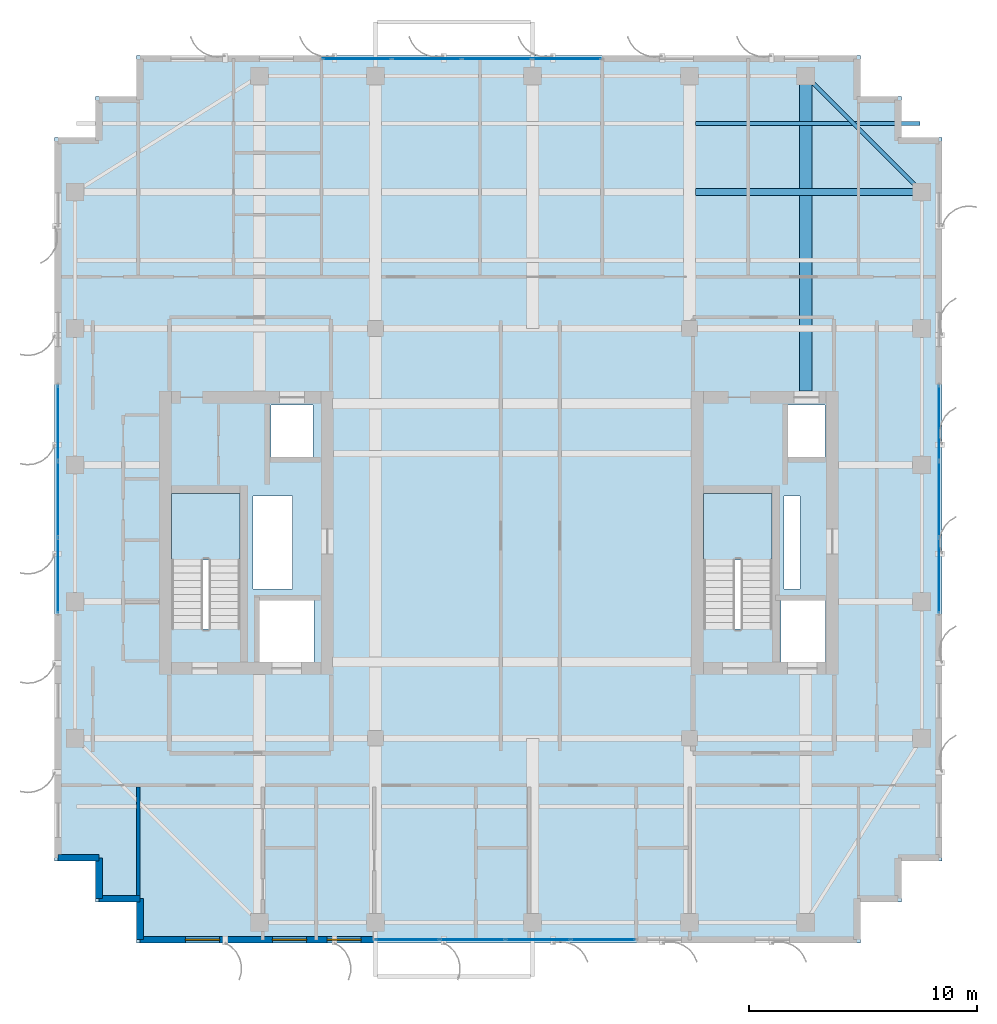
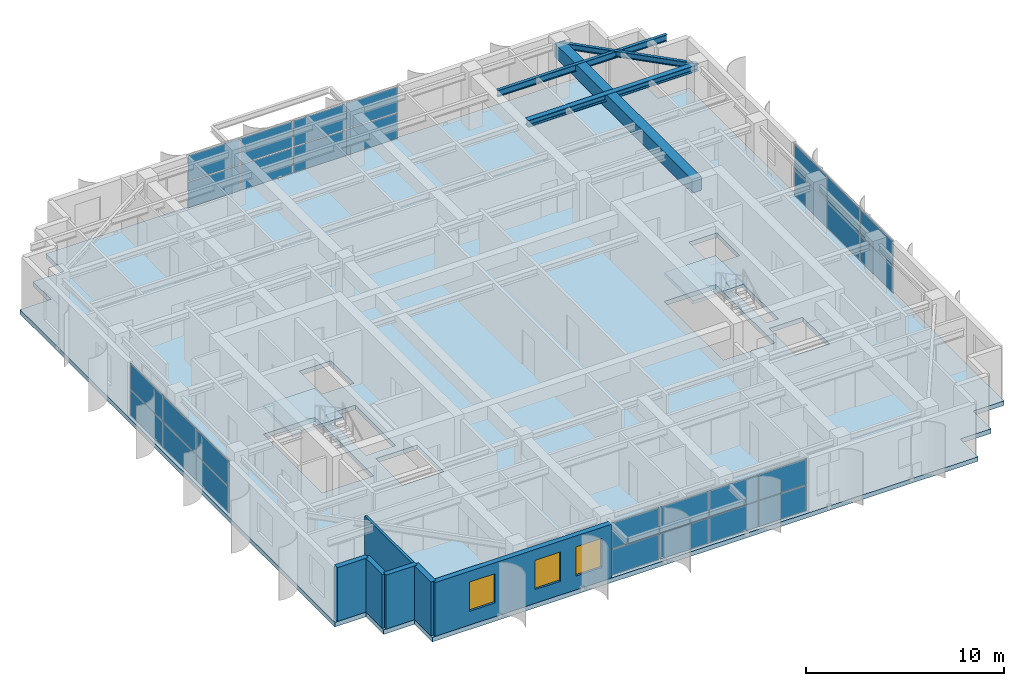
# One storey, part 17 of 23: 28 plates, 6 walls, 4 beams, 3 slabs, 3 windows, 3 openings, 6 elements without a shape of their own.
"""IFC4 building model written with IfcOpenShell, lengths in metres."""

from ifc_helpers import new_model, si_unit, direction, frame, frame_2d, origin, origin_2d, place, context, subcontext, project, spatial, polyline, rectangle, i_section, outline, extrude, source, transform, mapped, material, layer, layer_set, material_profile, profile_set, type_object, element, fill, aggregate, save


model = new_model("IFC4")

# Units and contexts
model_context = context("Model", 3, precision=1e-05, world=origin(), true_north=direction((0.0, 1.0)))
body_context = subcontext(model_context, "Body", "Model", "MODEL_VIEW")
ifc_project = project(units=[si_unit("LENGTHUNIT", "METRE"), si_unit("AREAUNIT", "SQUARE_METRE"), si_unit("VOLUMEUNIT", "CUBIC_METRE"), si_unit("PLANEANGLEUNIT", "RADIAN"), si_unit("MASSUNIT", "GRAM", prefix="KILO")], contexts=[model_context])

# Site, building, storey
site_placement = place(None, origin())
site = spatial("IfcSite", under=ifc_project, at=site_placement, CompositionType="ELEMENT")
building_placement = place(site_placement, origin())
building = spatial("IfcBuilding", under=site, at=building_placement, Name="Khoralis Quay Care Tower", CompositionType="ELEMENT")
storey_placement = place(building_placement, frame((0.0, 0.0, 270.89990234375)))
storey = spatial("IfcBuildingStorey", under=building, at=storey_placement, Name="L71", CompositionType="ELEMENT", Elevation=270.89990234375)

# Beams
ifc_material_1 = material(Name="Steel S355", Category="steel")
ifc_material_profile_1 = material_profile(ifc_material_1, i_section(OverallWidth=0.169921875, OverallDepth=0.360107421875, WebThickness=0.008056640625, FlangeThickness=0.0126953125, FilletRadius=0.01806640625, at=origin_2d()), Name="Steel S355")
ifc_profile_set_1 = profile_set([ifc_material_profile_1], Name="Steel S355")
beam_type_1 = type_object("IfcBeamType", Name="BM-IPE360", PredefinedType="SPANDREL", material=ifc_profile_set_1)
shared_shape_1 = source(origin(), body_context, "Body", "SweptSolid", [
    extrude(i_section(OverallWidth=0.169921875, OverallDepth=0.360107421875, WebThickness=0.008056640625, FlangeThickness=0.0126953125, FilletRadius=0.01806640625, at=origin_2d()), origin(), (0.0, 0.0, 1.0), 7.212646484375),
])
beam_1_placement = place(storey_placement, frame((36.0, 41.10009765625, 3.14013671875), z_axis=(0.707106781187, -0.707106781187, 0.0), x_axis=(0.707106781187, 0.707106781187, 0.0)))
element("IfcBeam", 1, at=beam_1_placement, inside=storey, type_object=beam_type_1, Name="BM-TCR-L71-20", PredefinedType="SPANDREL", context=body_context, shape_type="MappedRepresentation", body=[
    mapped(shared_shape_1, transform((0.0, 0.0, 0.0), scale=1.0)),
])
ifc_material_profile_2 = material_profile(ifc_material_1, i_section(OverallWidth=0.300048828125, OverallDepth=0.39990234375, WebThickness=0.013427734375, FlangeThickness=0.02392578125, FilletRadius=0.027099609375, at=origin_2d()), Name="Steel S355")
ifc_profile_set_2 = profile_set([ifc_material_profile_2], Name="Steel S355")
beam_type_2 = type_object("IfcBeamType", Name="BM-HEB400", PredefinedType="BEAM", material=ifc_profile_set_2)
shared_shape_2 = source(origin(), body_context, "Body", "SweptSolid", [
    extrude(i_section(OverallWidth=0.300048828125, OverallDepth=0.39990234375, WebThickness=0.013427734375, FlangeThickness=0.02392578125, FilletRadius=0.027099609375, at=origin_2d()), origin(), (0.0, 0.0, 1.0), 9.93701171875),
])
beam_2_placement = place(storey_placement, frame((31.1630859375, 36.0, 3.1201171875), z_axis=(1.0, 0.0, 0.0), x_axis=(0.0, 1.0, 0.0)))
element("IfcBeam", 2, at=beam_2_placement, inside=storey, type_object=beam_type_2, Name="BM-TGXE-L71-360", PredefinedType="BEAM", context=body_context, shape_type="MappedRepresentation", body=[
    mapped(shared_shape_2, transform((0.0, 0.0, 0.0), scale=1.0)),
])
ifc_material_2 = material(Name="Concrete C50/60", Category="concrete")
ifc_material_profile_3 = material_profile(ifc_material_2, rectangle(XDim=0.550048828125, YDim=0.85009765625, at=origin_2d()), Name="Concrete C50/60")
ifc_profile_set_3 = profile_set([ifc_material_profile_3], Name="Concrete C50/60")
beam_type_3 = type_object("IfcBeamType", Name="BM-RC550X850", PredefinedType="BEAM", material=ifc_profile_set_3)
shared_shape_3 = source(origin(), body_context, "Body", "SweptSolid", [
    extrude(rectangle(XDim=0.550048828125, YDim=0.85009765625, at=origin_2d()), origin(), (0.0, 0.0, 1.0), 13.85205078125),
])
beam_3_placement = place(storey_placement, frame((36.0, 27.248046875, 2.89501953125), z_axis=(0.0, 1.0, 0.0), x_axis=(-1.0, 0.0, 0.0)))
element("IfcBeam", 3, at=beam_3_placement, inside=storey, type_object=beam_type_3, Name="BM-TGYN-L71-360", PredefinedType="BEAM", context=body_context, shape_type="MappedRepresentation", body=[
    mapped(shared_shape_3, transform((0.0, 0.0, 0.0), scale=1.0)),
])
ifc_material_profile_4 = material_profile(ifc_material_1, i_section(OverallWidth=0.177978515625, OverallDepth=0.406982421875, WebThickness=0.0078125, FlangeThickness=0.0126953125, FilletRadius=0.012939453125, at=origin_2d()), Name="Steel S355")
ifc_profile_set_4 = profile_set([ifc_material_profile_4], Name="Steel S355")
beam_type_4 = type_object("IfcBeamType", Name="BM-W410X60", PredefinedType="JOIST", material=ifc_profile_set_4)
shared_shape_4 = source(origin(), body_context, "Body", "SweptSolid", [
    extrude(i_section(OverallWidth=0.177978515625, OverallDepth=0.406982421875, WebThickness=0.0078125, FlangeThickness=0.0126953125, FilletRadius=0.012939453125, at=origin_2d()), origin(), (0.0, 0.0, 1.0), 9.865966796875),
])
beam_4_placement = place(storey_placement, frame((31.1630859375, 39.0, 3.11669921875), z_axis=(1.0, 0.0, 0.0), x_axis=(0.0, 1.0, 0.0)))
element("IfcBeam", 4, at=beam_4_placement, inside=storey, type_object=beam_type_4, Name="BM-TJS-L71-28", PredefinedType="JOIST", context=body_context, shape_type="MappedRepresentation", body=[
    mapped(shared_shape_4, transform((0.0, 0.0, 0.0), scale=1.0)),
])

# Stair, slab
ifc_material_3 = material(Name="Precast concrete C45/55", Category="concrete")
stair_type = type_object("IfcStairType", Name="ST-TWR-DOGLEG-1400", PredefinedType="HALF_TURN_STAIR", material=ifc_material_3)
stair_1_placement = place(storey_placement, origin())
stair_1 = element("IfcStair", 5, at=stair_1_placement, inside=storey, type_object=stair_type, Name="L71 West Core Exit Stair ST-T1", PredefinedType="HALF_TURN_STAIR")
ifc_layer_1 = layer(ifc_material_3, 0.199951171875)
ifc_layer_set_1 = layer_set([ifc_layer_1], Name="Precast concrete C45/55")
slab_type_1 = type_object("IfcSlabType", Name="SLB-LANDING-200", PredefinedType="LANDING", material=ifc_layer_set_1)
slab_1_placement = place(storey_placement, frame((0.0, 0.0, 1.60009765625)))
slab_1 = element("IfcSlab", 6, at=slab_1_placement, type_object=slab_type_1, Name="ST-T1 landing 1", PredefinedType="LANDING", context=body_context, shape_type="SweptSolid", body=[
    extrude(outline(polyline([(11.14990234375, 19.840087890625), (11.14990234375, 22.75), (8.14990234375, 22.75), (8.14990234375, 19.840087890625), (11.14990234375, 19.840087890625)])), origin(), (0.0, 0.0, 1.0), 0.199951171875),
])
aggregate(stair_1, [slab_1])

stair_2_placement = place(storey_placement, origin())
stair_2 = element("IfcStair", 7, at=stair_2_placement, inside=storey, type_object=stair_type, Name="L71 East Core Exit Stair ST-T2", PredefinedType="HALF_TURN_STAIR")
slab_2_placement = place(storey_placement, frame((0.0, 0.0, 1.60009765625)))
slab_2 = element("IfcSlab", 8, at=slab_2_placement, type_object=slab_type_1, Name="ST-T2 landing 1", PredefinedType="LANDING", context=body_context, shape_type="SweptSolid", body=[
    extrude(outline(polyline([(34.52001953125, 19.840087890625), (34.52001953125, 22.75), (31.52001953125, 22.75), (31.52001953125, 19.840087890625), (34.52001953125, 19.840087890625)])), origin(), (0.0, 0.0, 1.0), 0.199951171875),
])
aggregate(stair_2, [slab_2])

# Slab
ifc_material_4 = material(Name="Concrete C40/50", Category="concrete")
ifc_layer_2 = layer(ifc_material_4, 0.280029296875)
ifc_layer_set_2 = layer_set([ifc_layer_2], Name="Concrete C40/50")
slab_type_2 = type_object("IfcSlabType", Name="SLB-TWR-280", PredefinedType="FLOOR", material=ifc_layer_set_2)
slab_3_placement = place(storey_placement, frame((0.0, 0.0, -0.27978515625)))
element("IfcSlab", 9, at=slab_3_placement, inside=storey, type_object=slab_type_2, Name="Tower Floor Slab L71", PredefinedType="FLOOR", context=body_context, shape_type="SweptSolid", body=[
    extrude(outline(polyline([(6.60009765625, 3.0), (38.39990234375, 3.0), (38.39990234375, 4.800048828125), (40.199951171875, 4.800048828125), (40.199951171875, 6.60009765625), (42.0, 6.60009765625), (42.0, 38.39990234375), (40.199951171875, 38.39990234375), (40.199951171875, 40.199951171875), (38.39990234375, 40.199951171875), (38.39990234375, 42.0), (6.60009765625, 42.0), (6.60009765625, 40.199951171875), (4.800048828125, 40.199951171875), (4.800048828125, 38.39990234375), (3.0, 38.39990234375), (3.0, 6.60009765625), (4.800048828125, 6.60009765625), (4.800048828125, 4.800048828125), (6.60009765625, 4.800048828125), (6.60009765625, 3.0)]), holes=[polyline([(11.14990234375, 16.800048828125), (11.14990234375, 22.75), (8.14990234375, 22.75), (8.14990234375, 16.800048828125), (11.14990234375, 16.800048828125)]), polyline([(34.52001953125, 16.800048828125), (34.52001953125, 22.75), (31.52001953125, 22.75), (31.52001953125, 16.800048828125), (34.52001953125, 16.800048828125)]), polyline([(12.0, 15.35009765625), (14.39990234375, 15.35009765625), (14.39990234375, 18.050048828125), (12.0, 18.050048828125), (12.0, 15.35009765625)]), polyline([(34.919921875, 15.35009765625), (36.8798828125, 15.35009765625), (36.8798828125, 18.050048828125), (34.919921875, 18.050048828125), (34.919921875, 15.35009765625)]), polyline([(12.5, 24.35009765625), (14.35009765625, 24.35009765625), (14.35009765625, 26.64990234375), (12.5, 26.64990234375), (12.5, 24.35009765625)]), polyline([(35.199951171875, 24.35009765625), (36.85009765625, 24.35009765625), (36.85009765625, 26.64990234375), (35.199951171875, 26.64990234375), (35.199951171875, 24.35009765625)]), polyline([(11.719970703125, 18.550048828125), (13.449951171875, 18.550048828125), (13.449951171875, 22.64990234375), (11.719970703125, 22.64990234375), (11.719970703125, 18.550048828125)]), polyline([(35.050048828125, 18.550048828125), (35.75, 18.550048828125), (35.75, 22.64990234375), (35.050048828125, 22.64990234375), (35.050048828125, 18.550048828125)])]), origin(), (0.0, 0.0, 1.0), 0.27978515625),
])

# Curtain wall, plates
ifc_material_5 = material(Name="Pale anodised aluminium", Category="aluminium")
ifc_layer_3 = layer(ifc_material_5, 0.159912109375)
ifc_layer_set_3 = layer_set([ifc_layer_3], Name="Pale anodised aluminium")
curtain_wall_type = type_object("IfcCurtainWallType", Name="CW-SYS-Z3", PredefinedType="NOTDEFINED", material=ifc_layer_set_3)
curtain_wall_1_placement = place(storey_placement, origin())
curtain_wall_1 = element("IfcCurtainWall", 10, at=curtain_wall_1_placement, inside=storey, type_object=curtain_wall_type, Name="L71 Unitised Curtain Wall CW-L71-P1-E5", PredefinedType="NOTDEFINED")
ifc_material_6 = material(Name="Low-E solar-control double glazing", Category="glass")
ifc_layer_4 = layer(ifc_material_6, 0.031982421875)
ifc_layer_set_4 = layer_set([ifc_layer_4], Name="Low-E solar-control double glazing")
plate_type = type_object("IfcPlateType", Name="PNL-VIS-32", PredefinedType="CURTAIN_PANEL", material=ifc_layer_set_4)
shared_shape_5 = source(origin(), body_context, "Body", "SweptSolid", [
    extrude(rectangle(XDim=3.27001953125, YDim=0.028076171875, at=origin_2d()), origin(), (0.0, 0.0, 1.0), 1.570068359375),
])
plate_1_placement = place(storey_placement, frame((41.85009765625, 19.155029296875, 0.06005859375), z_axis=(0.0, 0.0, 1.0), x_axis=(0.0, 1.0, 0.0)))
plate_1 = element("IfcPlate", 11, at=plate_1_placement, type_object=plate_type, Name="CW3 panel 1.1", PredefinedType="CURTAIN_PANEL", context=body_context, shape_type="MappedRepresentation", body=[
    mapped(shared_shape_5, transform((0.0, 0.0, 0.0), scale=1.0)),
])
plate_2_placement = place(storey_placement, frame((41.85009765625, 19.155029296875, 1.68994140625), z_axis=(0.0, 0.0, 1.0), x_axis=(0.0, 1.0, 0.0)))
plate_2 = element("IfcPlate", 12, at=plate_2_placement, type_object=plate_type, Name="CW3 panel 1.2", PredefinedType="CURTAIN_PANEL", context=body_context, shape_type="MappedRepresentation", body=[
    mapped(shared_shape_5, transform((0.0, 0.0, 0.0), scale=1.0)),
])
plate_3_placement = place(storey_placement, frame((41.85009765625, 25.844970703125, 0.06005859375), z_axis=(0.0, 0.0, 1.0), x_axis=(0.0, 1.0, 0.0)))
plate_3 = element("IfcPlate", 13, at=plate_3_placement, type_object=plate_type, Name="CW3 panel 3.1", PredefinedType="CURTAIN_PANEL", context=body_context, shape_type="MappedRepresentation", body=[
    mapped(shared_shape_5, transform((0.0, 0.0, 0.0), scale=1.0)),
])
plate_4_placement = place(storey_placement, frame((41.85009765625, 25.844970703125, 1.68994140625), z_axis=(0.0, 0.0, 1.0), x_axis=(0.0, 1.0, 0.0)))
plate_4 = element("IfcPlate", 14, at=plate_4_placement, type_object=plate_type, Name="CW3 panel 3.2", PredefinedType="CURTAIN_PANEL", context=body_context, shape_type="MappedRepresentation", body=[
    mapped(shared_shape_5, transform((0.0, 0.0, 0.0), scale=1.0)),
])

curtain_wall_2_placement = place(storey_placement, origin())
curtain_wall_2 = element("IfcCurtainWall", 15, at=curtain_wall_2_placement, inside=storey, type_object=curtain_wall_type, Name="L71 Unitised Curtain Wall CW-L71-P1-E15", PredefinedType="NOTDEFINED")
plate_5_placement = place(storey_placement, frame((3.14990234375, 25.844970703125, 0.06005859375), z_axis=(0.0, 0.0, 1.0), x_axis=(0.0, -1.0, 0.0)))
plate_5 = element("IfcPlate", 16, at=plate_5_placement, type_object=plate_type, Name="CW3 panel 1.1", PredefinedType="CURTAIN_PANEL", context=body_context, shape_type="MappedRepresentation", body=[
    mapped(shared_shape_5, transform((0.0, 0.0, 0.0), scale=1.0)),
])
plate_6_placement = place(storey_placement, frame((3.14990234375, 25.844970703125, 1.68994140625), z_axis=(0.0, 0.0, 1.0), x_axis=(0.0, -1.0, 0.0)))
plate_6 = element("IfcPlate", 17, at=plate_6_placement, type_object=plate_type, Name="CW3 panel 1.2", PredefinedType="CURTAIN_PANEL", context=body_context, shape_type="MappedRepresentation", body=[
    mapped(shared_shape_5, transform((0.0, 0.0, 0.0), scale=1.0)),
])
plate_7_placement = place(storey_placement, frame((3.14990234375, 19.155029296875, 0.06005859375), z_axis=(0.0, 0.0, 1.0), x_axis=(0.0, -1.0, 0.0)))
plate_7 = element("IfcPlate", 18, at=plate_7_placement, type_object=plate_type, Name="CW3 panel 3.1", PredefinedType="CURTAIN_PANEL", context=body_context, shape_type="MappedRepresentation", body=[
    mapped(shared_shape_5, transform((0.0, 0.0, 0.0), scale=1.0)),
])
plate_8_placement = place(storey_placement, frame((3.14990234375, 19.155029296875, 1.68994140625), z_axis=(0.0, 0.0, 1.0), x_axis=(0.0, -1.0, 0.0)))
plate_8 = element("IfcPlate", 19, at=plate_8_placement, type_object=plate_type, Name="CW3 panel 3.2", PredefinedType="CURTAIN_PANEL", context=body_context, shape_type="MappedRepresentation", body=[
    mapped(shared_shape_5, transform((0.0, 0.0, 0.0), scale=1.0)),
])

# Plate
shared_shape_6 = source(origin(), body_context, "Body", "SweptSolid", [
    extrude(rectangle(XDim=3.300048828125, YDim=0.028076171875, at=origin_2d()), origin(), (0.0, 0.0, 1.0), 1.570068359375),
])
plate_9_placement = place(storey_placement, frame((41.85009765625, 22.5, 0.06005859375), z_axis=(0.0, 0.0, 1.0), x_axis=(0.0, 1.0, 0.0)))
plate_9 = element("IfcPlate", 20, at=plate_9_placement, type_object=plate_type, Name="CW3 panel 2.1", PredefinedType="CURTAIN_PANEL", context=body_context, shape_type="MappedRepresentation", body=[
    mapped(shared_shape_6, transform((0.0, 0.0, 0.0), scale=1.0)),
])

plate_10_placement = place(storey_placement, frame((41.85009765625, 22.5, 1.68994140625), z_axis=(0.0, 0.0, 1.0), x_axis=(0.0, 1.0, 0.0)))
plate_10 = element("IfcPlate", 21, at=plate_10_placement, type_object=plate_type, Name="CW3 panel 2.2", PredefinedType="CURTAIN_PANEL", context=body_context, shape_type="MappedRepresentation", body=[
    mapped(shared_shape_6, transform((0.0, 0.0, 0.0), scale=1.0)),
])

aggregate(curtain_wall_1, [plate_1, plate_2, plate_9, plate_10, plate_3, plate_4])

plate_11_placement = place(storey_placement, frame((3.14990234375, 22.5, 0.06005859375), z_axis=(0.0, 0.0, 1.0), x_axis=(0.0, -1.0, 0.0)))
plate_11 = element("IfcPlate", 22, at=plate_11_placement, type_object=plate_type, Name="CW3 panel 2.1", PredefinedType="CURTAIN_PANEL", context=body_context, shape_type="MappedRepresentation", body=[
    mapped(shared_shape_6, transform((0.0, 0.0, 0.0), scale=1.0)),
])

plate_12_placement = place(storey_placement, frame((3.14990234375, 22.5, 1.68994140625), z_axis=(0.0, 0.0, 1.0), x_axis=(0.0, -1.0, 0.0)))
plate_12 = element("IfcPlate", 23, at=plate_12_placement, type_object=plate_type, Name="CW3 panel 2.2", PredefinedType="CURTAIN_PANEL", context=body_context, shape_type="MappedRepresentation", body=[
    mapped(shared_shape_6, transform((0.0, 0.0, 0.0), scale=1.0)),
])

aggregate(curtain_wall_2, [plate_5, plate_6, plate_11, plate_12, plate_7, plate_8])

# Curtain wall, plates
curtain_wall_3_placement = place(storey_placement, origin())
curtain_wall_3 = element("IfcCurtainWall", 24, at=curtain_wall_3_placement, inside=storey, type_object=curtain_wall_type, Name="L71 Unitised Curtain Wall CW-L71-P1-E0", PredefinedType="NOTDEFINED")
shared_shape_7 = source(origin(), body_context, "Body", "SweptSolid", [
    extrude(rectangle(XDim=2.78759765625, YDim=0.028076171875, at=origin_2d()), origin(), (0.0, 0.0, 1.0), 1.570068359375),
])
plate_13_placement = place(storey_placement, frame((18.503662109375, 3.14990234375, 0.06005859375), z_axis=(0.0, 0.0, 1.0), x_axis=(1.0, 0.0, 0.0)))
plate_13 = element("IfcPlate", 25, at=plate_13_placement, type_object=plate_type, Name="CW3 panel 1.1", PredefinedType="CURTAIN_PANEL", context=body_context, shape_type="MappedRepresentation", body=[
    mapped(shared_shape_7, transform((0.0, 0.0, 0.0), scale=1.0)),
])
plate_14_placement = place(storey_placement, frame((18.503662109375, 3.14990234375, 1.68994140625), z_axis=(0.0, 0.0, 1.0), x_axis=(1.0, 0.0, 0.0)))
plate_14 = element("IfcPlate", 26, at=plate_14_placement, type_object=plate_type, Name="CW3 panel 1.2", PredefinedType="CURTAIN_PANEL", context=body_context, shape_type="MappedRepresentation", body=[
    mapped(shared_shape_7, transform((0.0, 0.0, 0.0), scale=1.0)),
])
plate_15_placement = place(storey_placement, frame((27.106201171875, 3.14990234375, 0.06005859375), z_axis=(0.0, 0.0, 1.0), x_axis=(1.0, 0.0, 0.0)))
plate_15 = element("IfcPlate", 27, at=plate_15_placement, type_object=plate_type, Name="CW3 panel 4.1", PredefinedType="CURTAIN_PANEL", context=body_context, shape_type="MappedRepresentation", body=[
    mapped(shared_shape_7, transform((0.0, 0.0, 0.0), scale=1.0)),
])
plate_16_placement = place(storey_placement, frame((27.106201171875, 3.14990234375, 1.68994140625), z_axis=(0.0, 0.0, 1.0), x_axis=(1.0, 0.0, 0.0)))
plate_16 = element("IfcPlate", 28, at=plate_16_placement, type_object=plate_type, Name="CW3 panel 4.2", PredefinedType="CURTAIN_PANEL", context=body_context, shape_type="MappedRepresentation", body=[
    mapped(shared_shape_7, transform((0.0, 0.0, 0.0), scale=1.0)),
])
shared_shape_8 = source(origin(), body_context, "Body", "SweptSolid", [
    extrude(rectangle(XDim=2.8173828125, YDim=0.028076171875, at=origin_2d()), origin(), (0.0, 0.0, 1.0), 1.570068359375),
])
plate_17_placement = place(storey_placement, frame((21.3662109375, 3.14990234375, 0.06005859375), z_axis=(0.0, 0.0, 1.0), x_axis=(1.0, 0.0, 0.0)))
plate_17 = element("IfcPlate", 29, at=plate_17_placement, type_object=plate_type, Name="CW3 panel 2.1", PredefinedType="CURTAIN_PANEL", context=body_context, shape_type="MappedRepresentation", body=[
    mapped(shared_shape_8, transform((0.0, 0.0, 0.0), scale=1.0)),
])
plate_18_placement = place(storey_placement, frame((21.3662109375, 3.14990234375, 1.68994140625), z_axis=(0.0, 0.0, 1.0), x_axis=(1.0, 0.0, 0.0)))
plate_18 = element("IfcPlate", 30, at=plate_18_placement, type_object=plate_type, Name="CW3 panel 2.2", PredefinedType="CURTAIN_PANEL", context=body_context, shape_type="MappedRepresentation", body=[
    mapped(shared_shape_8, transform((0.0, 0.0, 0.0), scale=1.0)),
])
plate_19_placement = place(storey_placement, frame((24.24365234375, 3.14990234375, 0.06005859375), z_axis=(0.0, 0.0, 1.0), x_axis=(1.0, 0.0, 0.0)))
plate_19 = element("IfcPlate", 31, at=plate_19_placement, type_object=plate_type, Name="CW3 panel 3.1", PredefinedType="CURTAIN_PANEL", context=body_context, shape_type="MappedRepresentation", body=[
    mapped(shared_shape_8, transform((0.0, 0.0, 0.0), scale=1.0)),
])
plate_20_placement = place(storey_placement, frame((24.24365234375, 3.14990234375, 1.68994140625), z_axis=(0.0, 0.0, 1.0), x_axis=(1.0, 0.0, 0.0)))
plate_20 = element("IfcPlate", 32, at=plate_20_placement, type_object=plate_type, Name="CW3 panel 3.2", PredefinedType="CURTAIN_PANEL", context=body_context, shape_type="MappedRepresentation", body=[
    mapped(shared_shape_8, transform((0.0, 0.0, 0.0), scale=1.0)),
])
aggregate(curtain_wall_3, [plate_13, plate_14, plate_17, plate_18, plate_19, plate_20, plate_15, plate_16])

curtain_wall_4_placement = place(storey_placement, origin())
curtain_wall_4 = element("IfcCurtainWall", 33, at=curtain_wall_4_placement, inside=storey, type_object=curtain_wall_type, Name="L71 Unitised Curtain Wall CW-L71-P1-E10", PredefinedType="NOTDEFINED")
shared_shape_9 = source(origin(), body_context, "Body", "SweptSolid", [
    extrude(rectangle(XDim=2.992431640625, YDim=0.028076171875, at=origin_2d()), origin(), (0.0, 0.0, 1.0), 1.570068359375),
])
plate_21_placement = place(storey_placement, frame((25.503662109375, 41.85009765625, 0.06005859375), z_axis=(0.0, 0.0, 1.0), x_axis=(-1.0, 0.0, 0.0)))
plate_21 = element("IfcPlate", 34, at=plate_21_placement, type_object=plate_type, Name="CW3 panel 1.1", PredefinedType="CURTAIN_PANEL", context=body_context, shape_type="MappedRepresentation", body=[
    mapped(shared_shape_9, transform((0.0, 0.0, 0.0), scale=1.0)),
])
plate_22_placement = place(storey_placement, frame((25.503662109375, 41.85009765625, 1.68994140625), z_axis=(0.0, 0.0, 1.0), x_axis=(-1.0, 0.0, 0.0)))
plate_22 = element("IfcPlate", 35, at=plate_22_placement, type_object=plate_type, Name="CW3 panel 1.2", PredefinedType="CURTAIN_PANEL", context=body_context, shape_type="MappedRepresentation", body=[
    mapped(shared_shape_9, transform((0.0, 0.0, 0.0), scale=1.0)),
])
plate_23_placement = place(storey_placement, frame((16.2861328125, 41.85009765625, 0.06005859375), z_axis=(0.0, 0.0, 1.0), x_axis=(-1.0, 0.0, 0.0)))
plate_23 = element("IfcPlate", 36, at=plate_23_placement, type_object=plate_type, Name="CW3 panel 4.1", PredefinedType="CURTAIN_PANEL", context=body_context, shape_type="MappedRepresentation", body=[
    mapped(shared_shape_9, transform((0.0, 0.0, 0.0), scale=1.0)),
])
plate_24_placement = place(storey_placement, frame((16.2861328125, 41.85009765625, 1.68994140625), z_axis=(0.0, 0.0, 1.0), x_axis=(-1.0, 0.0, 0.0)))
plate_24 = element("IfcPlate", 37, at=plate_24_placement, type_object=plate_type, Name="CW3 panel 4.2", PredefinedType="CURTAIN_PANEL", context=body_context, shape_type="MappedRepresentation", body=[
    mapped(shared_shape_9, transform((0.0, 0.0, 0.0), scale=1.0)),
])
shared_shape_10 = source(origin(), body_context, "Body", "SweptSolid", [
    extrude(rectangle(XDim=3.0224609375, YDim=0.028076171875, at=origin_2d()), origin(), (0.0, 0.0, 1.0), 1.570068359375),
])
plate_25_placement = place(storey_placement, frame((22.436279296875, 41.85009765625, 0.06005859375), z_axis=(0.0, 0.0, 1.0), x_axis=(-1.0, 0.0, 0.0)))
plate_25 = element("IfcPlate", 38, at=plate_25_placement, type_object=plate_type, Name="CW3 panel 2.1", PredefinedType="CURTAIN_PANEL", context=body_context, shape_type="MappedRepresentation", body=[
    mapped(shared_shape_10, transform((0.0, 0.0, 0.0), scale=1.0)),
])
plate_26_placement = place(storey_placement, frame((22.436279296875, 41.85009765625, 1.68994140625), z_axis=(0.0, 0.0, 1.0), x_axis=(-1.0, 0.0, 0.0)))
plate_26 = element("IfcPlate", 39, at=plate_26_placement, type_object=plate_type, Name="CW3 panel 2.2", PredefinedType="CURTAIN_PANEL", context=body_context, shape_type="MappedRepresentation", body=[
    mapped(shared_shape_10, transform((0.0, 0.0, 0.0), scale=1.0)),
])
plate_27_placement = place(storey_placement, frame((19.353759765625, 41.85009765625, 0.06005859375), z_axis=(0.0, 0.0, 1.0), x_axis=(-1.0, 0.0, 0.0)))
plate_27 = element("IfcPlate", 40, at=plate_27_placement, type_object=plate_type, Name="CW3 panel 3.1", PredefinedType="CURTAIN_PANEL", context=body_context, shape_type="MappedRepresentation", body=[
    mapped(shared_shape_10, transform((0.0, 0.0, 0.0), scale=1.0)),
])
plate_28_placement = place(storey_placement, frame((19.353759765625, 41.85009765625, 1.68994140625), z_axis=(0.0, 0.0, 1.0), x_axis=(-1.0, 0.0, 0.0)))
plate_28 = element("IfcPlate", 41, at=plate_28_placement, type_object=plate_type, Name="CW3 panel 3.2", PredefinedType="CURTAIN_PANEL", context=body_context, shape_type="MappedRepresentation", body=[
    mapped(shared_shape_10, transform((0.0, 0.0, 0.0), scale=1.0)),
])
aggregate(curtain_wall_4, [plate_21, plate_22, plate_25, plate_26, plate_27, plate_28, plate_23, plate_24])

# Wall, openings, windows
ifc_layer_5 = layer(ifc_material_3, 0.300048828125)
ifc_layer_set_5 = layer_set([ifc_layer_5], Name="Precast concrete C45/55")
wall_type_1 = type_object("IfcWallType", Name="WL-EXT-REF-300", PredefinedType="SOLIDWALL", material=ifc_layer_set_5)
wall_1_placement = place(storey_placement, frame((6.75, 3.14990234375, 0.0), z_axis=(0.0, 0.0, 1.0), x_axis=(1.0, 0.0, 0.0)))
wall_1 = element("IfcWall", 42, at=wall_1_placement, inside=storey, type_object=wall_type_1, Name="L71 External Facade Wall WL-EXT-L71-P1-E0A", PredefinedType="SOLIDWALL", context=body_context, shape_type="SweptSolid", body=[
    extrude(rectangle(XDim=10.300048828125, YDim=0.300048828125, at=frame_2d((5.14990234375, 0.0))), origin(), (0.0, 0.0, 1.0), 3.320068359375),
])
opening_1_placement = place(wall_1_placement, frame((2.0, 0.0, 0.85009765625)))
opening_1 = element("IfcOpeningElement", 43, at=opening_1_placement, cuts=wall_1, Name="Opening W3", PredefinedType="OPENING", context=body_context, shape_type="SweptSolid", body=[
    extrude(rectangle(XDim=1.5, YDim=1.800048828125, at=frame_2d((0.75, 0.89990234375))), frame((0.0, 0.16015625, 0.0), z_axis=(0.0, -1.0, 0.0), x_axis=(1.0, 0.0, 0.0)), (0.0, 0.0, 1.0), 0.320068359375),
])
opening_2_placement = place(wall_1_placement, frame((5.824951171875, 0.0, 0.85009765625)))
opening_2 = element("IfcOpeningElement", 44, at=opening_2_placement, cuts=wall_1, Name="Opening W3", PredefinedType="OPENING", context=body_context, shape_type="SweptSolid", body=[
    extrude(rectangle(XDim=1.5, YDim=1.800048828125, at=frame_2d((0.75, 0.89990234375))), frame((0.0, 0.16015625, 0.0), z_axis=(0.0, -1.0, 0.0), x_axis=(1.0, 0.0, 0.0)), (0.0, 0.0, 1.0), 0.320068359375),
])
opening_3_placement = place(wall_1_placement, frame((8.22509765625, 0.0, 0.85009765625)))
opening_3 = element("IfcOpeningElement", 45, at=opening_3_placement, cuts=wall_1, Name="Opening W3", PredefinedType="OPENING", context=body_context, shape_type="SweptSolid", body=[
    extrude(rectangle(XDim=1.5, YDim=1.800048828125, at=frame_2d((0.75, 0.89990234375))), frame((0.0, 0.16015625, 0.0), z_axis=(0.0, -1.0, 0.0), x_axis=(1.0, 0.0, 0.0)), (0.0, 0.0, 1.0), 0.320068359375),
])
window_type = type_object("IfcWindowType", Name="WN-CLIN-1500X1800", PartitioningType="SINGLE_PANEL", PredefinedType="WINDOW", material=ifc_material_6)
shared_shape_11 = source(origin(), body_context, "Body", "SweptSolid", [
    extrude(rectangle(XDim=1.5, YDim=1.800048828125, at=frame_2d((0.75, 0.89990234375))), frame((0.0, 0.030029296875, 0.0), z_axis=(0.0, -1.0, 0.0), x_axis=(1.0, 0.0, 0.0)), (0.0, 0.0, 1.0), 0.06005859375),
])
window_1_placement = place(opening_1_placement, origin())
window_1 = element("IfcWindow", 46, at=window_1_placement, inside=storey, type_object=window_type, Name="WN-L71-P1-E0A Facade Window 01", OverallHeight=1.800048828125, OverallWidth=1.5, PartitioningType="SINGLE_PANEL", PredefinedType="WINDOW", context=body_context, shape_type="MappedRepresentation", body=[
    mapped(shared_shape_11, transform((0.0, 0.0, 0.0), scale=1.0)),
])
fill(opening_1, window_1)
window_2_placement = place(opening_2_placement, origin())
window_2 = element("IfcWindow", 47, at=window_2_placement, inside=storey, type_object=window_type, Name="WN-L71-P1-E0A Facade Window 02", OverallHeight=1.800048828125, OverallWidth=1.5, PartitioningType="SINGLE_PANEL", PredefinedType="WINDOW", context=body_context, shape_type="MappedRepresentation", body=[
    mapped(shared_shape_11, transform((0.0, 0.0, 0.0), scale=1.0)),
])
fill(opening_2, window_2)
window_3_placement = place(opening_3_placement, origin())
window_3 = element("IfcWindow", 48, at=window_3_placement, inside=storey, type_object=window_type, Name="WN-L71-P1-E0A Facade Window 03", OverallHeight=1.800048828125, OverallWidth=1.5, PartitioningType="SINGLE_PANEL", PredefinedType="WINDOW", context=body_context, shape_type="MappedRepresentation", body=[
    mapped(shared_shape_11, transform((0.0, 0.0, 0.0), scale=1.0)),
])
fill(opening_3, window_3)

# Walls
for number, where, z_axis, x_axis, name in (
    (49, (3.14990234375, 6.75, 0.0), (0.0, 0.0, 1.0), (1.0, 0.0, 0.0), "L71 External Facade Wall WL-EXT-L71-P1-C16"),
    (50, (4.949951171875, 6.75, 0.0), (0.0, 0.0, 1.0), (0.0, -1.0, 0.0), "L71 External Facade Wall WL-EXT-L71-P1-C17"),
    (51, (4.949951171875, 4.949951171875, 0.0), (0.0, 0.0, 1.0), (1.0, 0.0, 0.0), "L71 External Facade Wall WL-EXT-L71-P1-C18"),
    (52, (6.75, 4.949951171875, 0.0), (0.0, 0.0, 1.0), (0.0, -1.0, 0.0), "L71 External Facade Wall WL-EXT-L71-P1-C19"),
):
    element("IfcWall", number, at=place(storey_placement, frame(where, z_axis=z_axis, x_axis=x_axis)), inside=storey, type_object=wall_type_1, Name=name, PredefinedType="SOLIDWALL", context=body_context, shape_type="SweptSolid", body=[
        extrude(rectangle(XDim=1.800048828125, YDim=0.300048828125, at=frame_2d((0.89990234375, 0.0))), origin(), (0.0, 0.0, 1.0), 3.320068359375),
    ])
ifc_material_7 = material(Name="Gypsum plasterboard on acoustic metal stud")
ifc_layer_6 = layer(ifc_material_7, 0.139892578125)
ifc_layer_set_6 = layer_set([ifc_layer_6], Name="Gypsum plasterboard on acoustic metal stud")
wall_type_2 = type_object("IfcWallType", Name="WL-UNIT-140", PredefinedType="PARTITIONING", material=ifc_layer_set_6)
wall_2_placement = place(storey_placement, frame((6.679931640625, 4.945068359375, 0.0), z_axis=(0.0, 0.0, 1.0), x_axis=(0.0, 1.0, 0.0)))
element("IfcWall", 53, at=wall_2_placement, inside=storey, type_object=wall_type_2, Name="L71 SB Demising Wall 0", PredefinedType="PARTITIONING", context=body_context, shape_type="SweptSolid", body=[
    extrude(rectangle(XDim=4.91748046875, YDim=0.139892578125, at=frame_2d((2.458740234375, 0.0))), origin(), (0.0, 0.0, 1.0), 3.320068359375),
])

save(model, "model.ifc")
